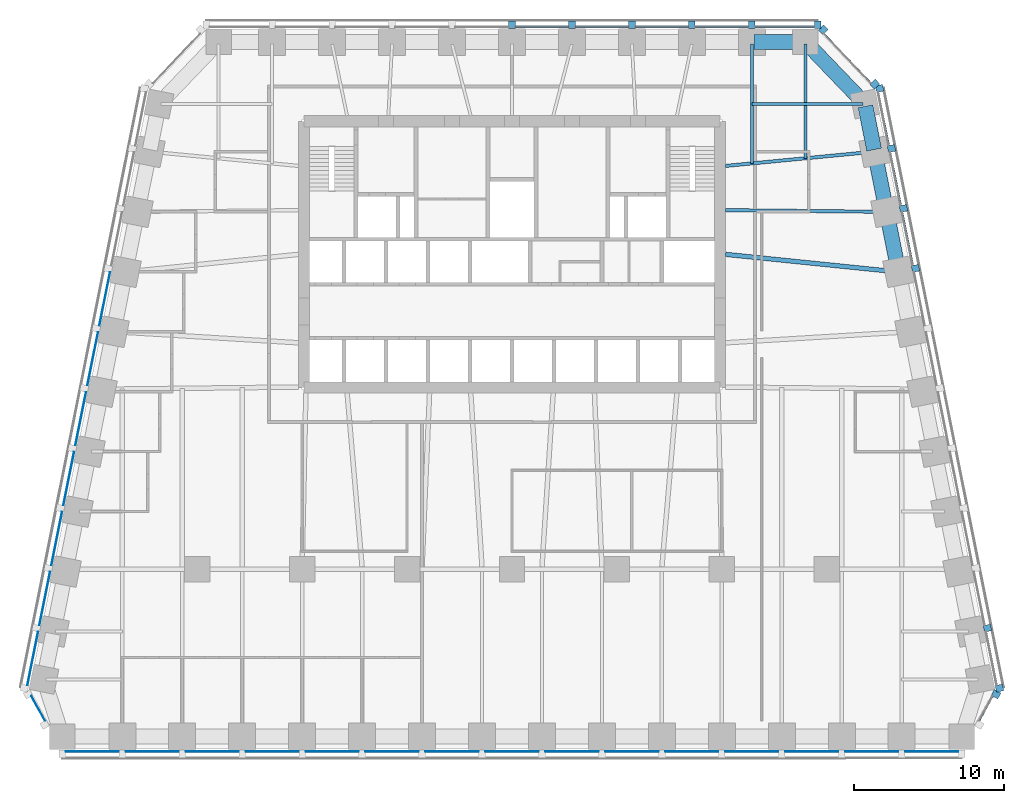
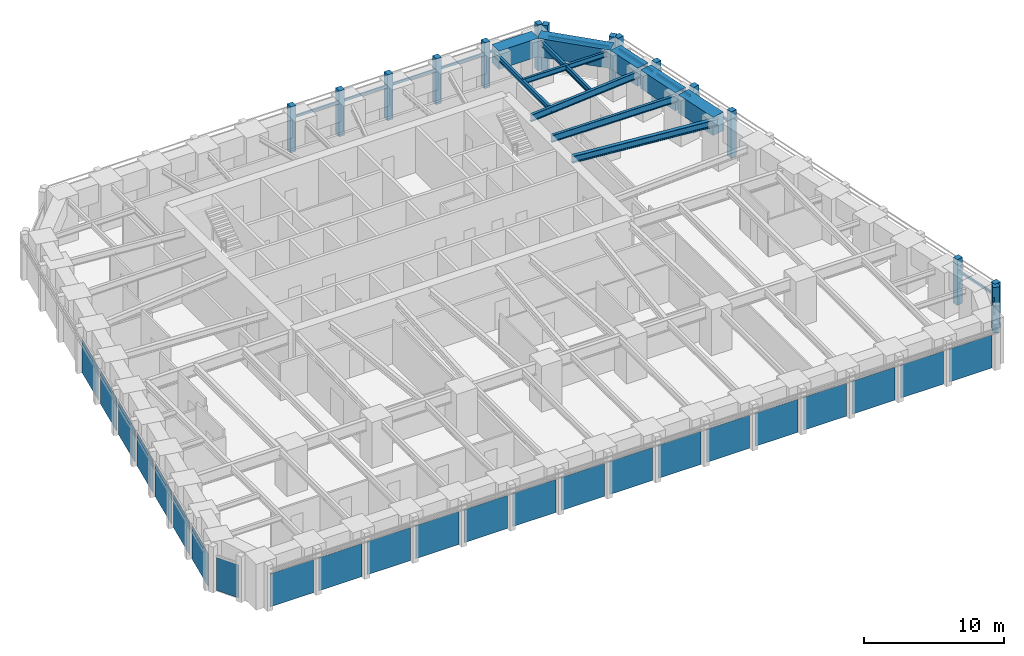
# One storey, part 4 of 10: 26 members, 23 plates, 11 beams, 7 elements without a shape of their own.
"""IFC4 building model written with IfcOpenShell, lengths in metres."""

from ifc_helpers import new_model, si_unit, direction, frame, origin, origin_2d, place, context, subcontext, project, spatial, rectangle, i_section, extrude, material, layer, layer_set, material_profile, profile_set, type_object, element, aggregate, save


model = new_model("IFC4")

# Units and contexts
model_context = context("Model", 3, precision=1e-05, world=origin(), true_north=direction((0.0, 1.0)))
body_context = subcontext(model_context, "Body", "Model", "MODEL_VIEW")
ifc_project = project(units=[si_unit("LENGTHUNIT", "METRE"), si_unit("AREAUNIT", "SQUARE_METRE"), si_unit("VOLUMEUNIT", "CUBIC_METRE"), si_unit("PLANEANGLEUNIT", "RADIAN"), si_unit("MASSUNIT", "GRAM", prefix="KILO")], contexts=[model_context])

# Site, building, storey
site_placement = place(None, origin())
site = spatial("IfcSite", under=ifc_project, at=site_placement, CompositionType="ELEMENT")
building_placement = place(site_placement, origin())
building = spatial("IfcBuilding", under=site, at=building_placement, Name="Isbrekke Arena Tower", CompositionType="ELEMENT")
storey_placement = place(building_placement, frame((0.0, 0.0, 103.0)))
storey = spatial("IfcBuildingStorey", under=building, at=storey_placement, Name="L22", CompositionType="ELEMENT", Elevation=103.0)

# Beams
ifc_material_1 = material(Name="Steel S355", Category="steel")
ifc_material_profile_1 = material_profile(ifc_material_1, i_section(OverallWidth=0.219970703125, OverallDepth=0.60009765625, WebThickness=0.011962890625, FlangeThickness=0.01904296875, FilletRadius=0.02392578125, at=origin_2d()), Name="IPE 600")
ifc_profile_set_1 = profile_set([ifc_material_profile_1], Name="Steel S355")
beam_type_1 = type_object("IfcBeamType", Name="B1 IPE 600", PredefinedType="BEAM", material=ifc_profile_set_1)
beam_1_placement = place(storey_placement, frame((24.83984375, 17.838134765625, 3.550048828125), z_axis=(-0.999944260169, 0.010558245831, 0.0), x_axis=(-0.010558245831, -0.999944260169, 0.0)))
element("IfcBeam", 1, at=beam_1_placement, inside=storey, type_object=beam_type_1, Name="B1 beam E-E09 L22", PredefinedType="BEAM", context=body_context, shape_type="SweptSolid", body=[
    extrude(i_section(OverallWidth=0.219970703125, OverallDepth=0.60009765625, WebThickness=0.011962890625, FlangeThickness=0.01904296875, FilletRadius=0.02392578125, at=origin_2d()), origin(), (0.0, 0.0, 1.0), 10.59033203125),
])
beam_2_placement = place(storey_placement, frame((24.030517578125, 21.837158203125, 3.550048828125), z_axis=(-0.995439798606, -0.095391862082, 0.0), x_axis=(0.095391862082, -0.995439798606, 0.0)))
element("IfcBeam", 2, at=beam_2_placement, inside=storey, type_object=beam_type_1, Name="B1 beam E-E10 L22", PredefinedType="BEAM", context=body_context, shape_type="SweptSolid", body=[
    extrude(i_section(OverallWidth=0.219970703125, OverallDepth=0.60009765625, WebThickness=0.011962890625, FlangeThickness=0.01904296875, FilletRadius=0.02392578125, at=origin_2d()), origin(), (0.0, 0.0, 1.0), 9.825439453125),
])
ifc_material_2 = material(Name="Steel S355", Category="steel")
ifc_material_profile_2 = material_profile(ifc_material_2, i_section(OverallWidth=0.18994140625, OverallDepth=0.449951171875, WebThickness=0.009521484375, FlangeThickness=0.0146484375, FilletRadius=0.02099609375, at=origin_2d()), Name="IPE 450")
ifc_profile_set_2 = profile_set([ifc_material_profile_2], Name="Steel S355")
beam_type_2 = type_object("IfcBeamType", Name="B2 IPE 450", PredefinedType="BEAM", material=ifc_profile_set_2)
beam_3_placement = place(storey_placement, frame((23.40283203125, 25.029296875, 3.625), z_axis=(-1.0, 0.0, 0.0), x_axis=(0.0, -1.0, 0.0)))
element("IfcBeam", 3, at=beam_3_placement, inside=storey, type_object=beam_type_2, Name="B2 beam E-E11 L22", PredefinedType="BEAM", context=body_context, shape_type="SweptSolid", body=[
    extrude(i_section(OverallWidth=0.18994140625, OverallDepth=0.449951171875, WebThickness=0.009521484375, FlangeThickness=0.0146484375, FilletRadius=0.02099609375, at=origin_2d()), origin(), (0.0, 0.0, 1.0), 7.40283203125),
])
ifc_material_3 = material(Name="Steel S355", Category="steel")
ifc_material_profile_3 = material_profile(ifc_material_3, i_section(OverallWidth=0.18994140625, OverallDepth=0.449951171875, WebThickness=0.009521484375, FlangeThickness=0.0146484375, FilletRadius=0.02099609375, at=origin_2d()), Name="IPE 450")
ifc_profile_set_3 = profile_set([ifc_material_profile_3], Name="Steel S355")
beam_type_3 = type_object("IfcBeamType", Name="B3 IPE 450", PredefinedType="BEAM", material=ifc_profile_set_3)
beam_4_placement = place(storey_placement, frame((19.574951171875, 29.02490234375, 3.625), z_axis=(0.0, -1.0, 0.0), x_axis=(1.0, 0.0, 0.0)))
element("IfcBeam", 4, at=beam_4_placement, inside=storey, type_object=beam_type_3, Name="B3 beam N-N01 L22", PredefinedType="BEAM", context=body_context, shape_type="SweptSolid", body=[
    extrude(i_section(OverallWidth=0.18994140625, OverallDepth=0.449951171875, WebThickness=0.009521484375, FlangeThickness=0.0146484375, FilletRadius=0.02099609375, at=origin_2d()), origin(), (0.0, 0.0, 1.0), 7.61474609375),
])
beam_5_placement = place(storey_placement, frame((16.0, 29.02490234375, 3.625), z_axis=(0.0, -1.0, 0.0), x_axis=(1.0, 0.0, 0.0)))
element("IfcBeam", 5, at=beam_5_placement, inside=storey, type_object=beam_type_3, Name="B3 beam N-N02 L22", PredefinedType="BEAM", context=body_context, shape_type="SweptSolid", body=[
    extrude(i_section(OverallWidth=0.18994140625, OverallDepth=0.449951171875, WebThickness=0.009521484375, FlangeThickness=0.0146484375, FilletRadius=0.02099609375, at=origin_2d()), origin(), (0.0, 0.0, 1.0), 7.957275390625),
])
ifc_material_4 = material(Name="Steel S355", Category="steel")
ifc_material_profile_4 = material_profile(ifc_material_4, i_section(OverallWidth=0.300048828125, OverallDepth=0.60009765625, WebThickness=0.015380859375, FlangeThickness=0.030029296875, FilletRadius=0.027099609375, at=origin_2d()), Name="HEB 600")
ifc_profile_set_4 = profile_set([ifc_material_profile_4], Name="Steel S355")
beam_type_4 = type_object("IfcBeamType", Name="B7 HEB 600", PredefinedType="BEAM", material=ifc_profile_set_4)
beam_6_placement = place(storey_placement, frame((25.6259765625, 13.83984375, 3.550048828125), z_axis=(-0.994839949319, 0.10145676537, 0.0), x_axis=(-0.10145676537, -0.994839949319, 0.0)))
element("IfcBeam", 6, at=beam_6_placement, inside=storey, type_object=beam_type_4, Name="B7 beam E-E08 L22", PredefinedType="BEAM", context=body_context, shape_type="SweptSolid", body=[
    extrude(i_section(OverallWidth=0.300048828125, OverallDepth=0.60009765625, WebThickness=0.015380859375, FlangeThickness=0.030029296875, FilletRadius=0.027099609375, at=origin_2d()), origin(), (0.0, 0.0, 1.0), 11.43505859375),
])

# Curtain wall, member
ifc_material_5 = material(Name="Glazed aluminium curtain wall", Category="aluminium")
curtain_wall_type = type_object("IfcCurtainWallType", Name="CWM TOWER CURTAIN WALL MID ZONE", PredefinedType="USERDEFINED", material=ifc_material_5)
curtain_wall_1_placement = place(storey_placement, origin())
curtain_wall_1 = element("IfcCurtainWall", 7, at=curtain_wall_1_placement, inside=storey, type_object=curtain_wall_type, Name="CWM curtain wall L22-SE", ObjectType="TOWER CURTAIN WALL MID ZONE", PredefinedType="USERDEFINED")
ifc_material_6 = material(Name="Aluminium mullion, pale brick slip cladding", Category="masonry")
ifc_material_profile_5 = material_profile(ifc_material_6, rectangle(XDim=0.449951171875, YDim=0.5, at=origin_2d()), Name="PIER 450X500")
ifc_profile_set_5 = profile_set([ifc_material_profile_5], Name="Aluminium mullion, pale brick slip cladding")
member_type_1 = type_object("IfcMemberType", Name="CWM-M PIER MULLION 450 x 500", PredefinedType="MULLION", material=ifc_profile_set_5)
member_1_placement = place(storey_placement, frame((32.296142578125, -14.34375, 0.0), z_axis=(0.0, 0.0, 1.0), x_axis=(0.481918749773, 0.876215908676, 0.0)))
member_1 = element("IfcMember", 8, at=member_1_placement, type_object=member_type_1, Name="CWM-M mullion 2", PredefinedType="MULLION", context=body_context, shape_type="SweptSolid", body=[
    extrude(rectangle(XDim=0.449951171875, YDim=0.5, at=origin_2d()), origin(), (0.0, 0.0, 1.0), 4.0),
])

# Curtain wall, members
curtain_wall_2_placement = place(storey_placement, origin())
curtain_wall_2 = element("IfcCurtainWall", 9, at=curtain_wall_2_placement, inside=storey, type_object=curtain_wall_type, Name="CWM curtain wall L22-E", ObjectType="TOWER CURTAIN WALL MID ZONE", PredefinedType="USERDEFINED")
member_2_placement = place(storey_placement, frame((32.518798828125, -13.936279296875, 0.0), z_axis=(0.0, 0.0, 1.0), x_axis=(-0.196116135138, 0.980580675691, 0.0)))
member_2 = element("IfcMember", 10, at=member_2_placement, type_object=member_type_1, Name="CWM-M mullion 1", PredefinedType="MULLION", context=body_context, shape_type="SweptSolid", body=[
    extrude(rectangle(XDim=0.449951171875, YDim=0.5, at=origin_2d()), origin(), (0.0, 0.0, 1.0), 4.0),
])
member_3_placement = place(storey_placement, frame((31.71875, -9.936279296875, 0.0), z_axis=(0.0, 0.0, 1.0), x_axis=(-0.196116135138, 0.980580675691, 0.0)))
member_3 = element("IfcMember", 11, at=member_3_placement, type_object=member_type_1, Name="CWM-M mullion 2", PredefinedType="MULLION", context=body_context, shape_type="SweptSolid", body=[
    extrude(rectangle(XDim=0.449951171875, YDim=0.5, at=origin_2d()), origin(), (0.0, 0.0, 1.0), 4.0),
])
member_4_placement = place(storey_placement, frame((26.918701171875, 14.063720703125, 0.0), z_axis=(0.0, 0.0, 1.0), x_axis=(-0.196116135138, 0.980580675691, 0.0)))
member_4 = element("IfcMember", 12, at=member_4_placement, type_object=member_type_1, Name="CWM-M mullion 8", PredefinedType="MULLION", context=body_context, shape_type="SweptSolid", body=[
    extrude(rectangle(XDim=0.449951171875, YDim=0.5, at=origin_2d()), origin(), (0.0, 0.0, 1.0), 4.0),
])
member_5_placement = place(storey_placement, frame((26.11865234375, 18.063720703125, 0.0), z_axis=(0.0, 0.0, 1.0), x_axis=(-0.196116135138, 0.980580675691, 0.0)))
member_5 = element("IfcMember", 13, at=member_5_placement, type_object=member_type_1, Name="CWM-M mullion 9", PredefinedType="MULLION", context=body_context, shape_type="SweptSolid", body=[
    extrude(rectangle(XDim=0.449951171875, YDim=0.5, at=origin_2d()), origin(), (0.0, 0.0, 1.0), 4.0),
])
member_6_placement = place(storey_placement, frame((25.318603515625, 22.063720703125, 0.0), z_axis=(0.0, 0.0, 1.0), x_axis=(-0.196116135138, 0.980580675691, 0.0)))
member_6 = element("IfcMember", 14, at=member_6_placement, type_object=member_type_1, Name="CWM-M mullion 10", PredefinedType="MULLION", context=body_context, shape_type="SweptSolid", body=[
    extrude(rectangle(XDim=0.449951171875, YDim=0.5, at=origin_2d()), origin(), (0.0, 0.0, 1.0), 4.0),
])
member_7_placement = place(storey_placement, frame((24.518798828125, 26.063720703125, 0.0), z_axis=(0.0, 0.0, 1.0), x_axis=(-0.196116135138, 0.980580675691, 0.0)))
member_7 = element("IfcMember", 15, at=member_7_placement, type_object=member_type_1, Name="CWM-M mullion 11", PredefinedType="MULLION", context=body_context, shape_type="SweptSolid", body=[
    extrude(rectangle(XDim=0.449951171875, YDim=0.5, at=origin_2d()), origin(), (0.0, 0.0, 1.0), 4.0),
])

curtain_wall_3_placement = place(storey_placement, origin())
curtain_wall_3 = element("IfcCurtainWall", 16, at=curtain_wall_3_placement, inside=storey, type_object=curtain_wall_type, Name="CWM curtain wall L22-EN", ObjectType="TOWER CURTAIN WALL MID ZONE", PredefinedType="USERDEFINED")
member_8_placement = place(storey_placement, frame((24.208251953125, 26.354248046875, 0.0), z_axis=(0.0, 0.0, 1.0), x_axis=(-0.68874946192, 0.72499943359, 0.0)))
member_8 = element("IfcMember", 17, at=member_8_placement, type_object=member_type_1, Name="CWM-M mullion 1", PredefinedType="MULLION", context=body_context, shape_type="SweptSolid", body=[
    extrude(rectangle(XDim=0.449951171875, YDim=0.5, at=origin_2d()), origin(), (0.0, 0.0, 1.0), 4.0),
])
member_9_placement = place(storey_placement, frame((20.7587890625, 29.9853515625, 0.0), z_axis=(0.0, 0.0, 1.0), x_axis=(-0.68874946192, 0.72499943359, 0.0)))
member_9 = element("IfcMember", 18, at=member_9_placement, type_object=member_type_1, Name="CWM-M mullion 2", PredefinedType="MULLION", context=body_context, shape_type="SweptSolid", body=[
    extrude(rectangle(XDim=0.449951171875, YDim=0.5, at=origin_2d()), origin(), (0.0, 0.0, 1.0), 4.0),
])

curtain_wall_4_placement = place(storey_placement, origin())
curtain_wall_4 = element("IfcCurtainWall", 19, at=curtain_wall_4_placement, inside=storey, type_object=curtain_wall_type, Name="CWM curtain wall L22-N", ObjectType="TOWER CURTAIN WALL MID ZONE", PredefinedType="USERDEFINED")
member_10_placement = place(storey_placement, frame((20.39990234375, 30.324951171875, 0.0), z_axis=(0.0, 0.0, 1.0), x_axis=(-1.0, 0.0, 0.0)))
member_10 = element("IfcMember", 20, at=member_10_placement, type_object=member_type_1, Name="CWM-M mullion 1", PredefinedType="MULLION", context=body_context, shape_type="SweptSolid", body=[
    extrude(rectangle(XDim=0.449951171875, YDim=0.5, at=origin_2d()), origin(), (0.0, 0.0, 1.0), 4.0),
])
member_11_placement = place(storey_placement, frame((16.0, 30.324951171875, 0.0), z_axis=(0.0, 0.0, 1.0), x_axis=(-1.0, 0.0, 0.0)))
member_11 = element("IfcMember", 21, at=member_11_placement, type_object=member_type_1, Name="CWM-M mullion 2", PredefinedType="MULLION", context=body_context, shape_type="SweptSolid", body=[
    extrude(rectangle(XDim=0.449951171875, YDim=0.5, at=origin_2d()), origin(), (0.0, 0.0, 1.0), 4.0),
])
member_12_placement = place(storey_placement, frame((12.0, 30.324951171875, 0.0), z_axis=(0.0, 0.0, 1.0), x_axis=(-1.0, 0.0, 0.0)))
member_12 = element("IfcMember", 22, at=member_12_placement, type_object=member_type_1, Name="CWM-M mullion 3", PredefinedType="MULLION", context=body_context, shape_type="SweptSolid", body=[
    extrude(rectangle(XDim=0.449951171875, YDim=0.5, at=origin_2d()), origin(), (0.0, 0.0, 1.0), 4.0),
])
member_13_placement = place(storey_placement, frame((8.0, 30.324951171875, 0.0), z_axis=(0.0, 0.0, 1.0), x_axis=(-1.0, 0.0, 0.0)))
member_13 = element("IfcMember", 23, at=member_13_placement, type_object=member_type_1, Name="CWM-M mullion 4", PredefinedType="MULLION", context=body_context, shape_type="SweptSolid", body=[
    extrude(rectangle(XDim=0.449951171875, YDim=0.5, at=origin_2d()), origin(), (0.0, 0.0, 1.0), 4.0),
])
member_14_placement = place(storey_placement, frame((4.0, 30.324951171875, 0.0), z_axis=(0.0, 0.0, 1.0), x_axis=(-1.0, 0.0, 0.0)))
member_14 = element("IfcMember", 24, at=member_14_placement, type_object=member_type_1, Name="CWM-M mullion 5", PredefinedType="MULLION", context=body_context, shape_type="SweptSolid", body=[
    extrude(rectangle(XDim=0.449951171875, YDim=0.5, at=origin_2d()), origin(), (0.0, 0.0, 1.0), 4.0),
])
member_15_placement = place(storey_placement, frame((0.0, 30.324951171875, 0.0), z_axis=(0.0, 0.0, 1.0), x_axis=(-1.0, 0.0, 0.0)))
member_15 = element("IfcMember", 25, at=member_15_placement, type_object=member_type_1, Name="CWM-M mullion 6", PredefinedType="MULLION", context=body_context, shape_type="SweptSolid", body=[
    extrude(rectangle(XDim=0.449951171875, YDim=0.5, at=origin_2d()), origin(), (0.0, 0.0, 1.0), 4.0),
])

# Member
ifc_material_7 = material(Name="Aluminium transom", Category="aluminium")
ifc_material_profile_6 = material_profile(ifc_material_7, rectangle(XDim=0.1201171875, YDim=0.199951171875, at=origin_2d()), Name="TRANSOM 120X200")
ifc_profile_set_6 = profile_set([ifc_material_profile_6], Name="Aluminium transom")
member_type_2 = type_object("IfcMemberType", Name="CWM-T TRANSOM 120 x 200", PredefinedType="USERDEFINED", material=ifc_profile_set_6)
member_16_placement = place(storey_placement, frame((31.152099609375, -16.112548828125, 3.0), z_axis=(0.482003669577, 0.876169197424, 0.0), x_axis=(-0.876169197424, 0.482003669577, 0.0)))
member_16 = element("IfcMember", 26, at=member_16_placement, type_object=member_type_2, Name="CWM-T transom 1", ObjectType="TRANSOM", PredefinedType="USERDEFINED", context=body_context, shape_type="SweptSolid", body=[
    extrude(rectangle(XDim=0.1201171875, YDim=0.199951171875, at=origin_2d()), origin(), (0.0, 0.0, 1.0), 1.876220703125),
])

aggregate(curtain_wall_1, [member_1, member_16])

member_17_placement = place(storey_placement, frame((32.327392578125, -13.7451171875, 3.0), z_axis=(-0.196090262229, 0.980585849918, 0.0), x_axis=(-0.980585849918, -0.196090262229, 0.0)))
member_17 = element("IfcMember", 27, at=member_17_placement, type_object=member_type_2, Name="CWM-T transom 1", ObjectType="TRANSOM", PredefinedType="USERDEFINED", context=body_context, shape_type="SweptSolid", body=[
    extrude(rectangle(XDim=0.1201171875, YDim=0.199951171875, at=origin_2d()), origin(), (0.0, 0.0, 1.0), 3.62939453125),
])

member_18_placement = place(storey_placement, frame((26.7275390625, 14.2548828125, 3.0), z_axis=(-0.196154943734, 0.980572913173, 0.0), x_axis=(-0.980572913173, -0.196154943734, 0.0)))
member_18 = element("IfcMember", 28, at=member_18_placement, type_object=member_type_2, Name="CWM-T transom 8", ObjectType="TRANSOM", PredefinedType="USERDEFINED", context=body_context, shape_type="SweptSolid", body=[
    extrude(rectangle(XDim=0.1201171875, YDim=0.199951171875, at=origin_2d()), origin(), (0.0, 0.0, 1.0), 3.62939453125),
])

member_19_placement = place(storey_placement, frame((25.927490234375, 18.2548828125, 3.0), z_axis=(-0.196090262229, 0.980585849918, 0.0), x_axis=(-0.980585849918, -0.196090262229, 0.0)))
member_19 = element("IfcMember", 29, at=member_19_placement, type_object=member_type_2, Name="CWM-T transom 9", ObjectType="TRANSOM", PredefinedType="USERDEFINED", context=body_context, shape_type="SweptSolid", body=[
    extrude(rectangle(XDim=0.1201171875, YDim=0.199951171875, at=origin_2d()), origin(), (0.0, 0.0, 1.0), 3.62939453125),
])

member_20_placement = place(storey_placement, frame((25.12744140625, 22.2548828125, 3.0), z_axis=(-0.196090262229, 0.980585849918, 0.0), x_axis=(-0.980585849918, -0.196090262229, 0.0)))
member_20 = element("IfcMember", 30, at=member_20_placement, type_object=member_type_2, Name="CWM-T transom 10", ObjectType="TRANSOM", PredefinedType="USERDEFINED", context=body_context, shape_type="SweptSolid", body=[
    extrude(rectangle(XDim=0.1201171875, YDim=0.199951171875, at=origin_2d()), origin(), (0.0, 0.0, 1.0), 3.62939453125),
])

aggregate(curtain_wall_2, [member_2, member_3, member_4, member_5, member_6, member_7, member_17, member_18, member_19, member_20])

member_21_placement = place(storey_placement, frame((23.944580078125, 26.4140625, 3.0), z_axis=(-0.688771983213, 0.724978037696, 0.0), x_axis=(-0.724978037696, -0.688771983213, 0.0)))
member_21 = element("IfcMember", 31, at=member_21_placement, type_object=member_type_2, Name="CWM-T transom 1", ObjectType="TRANSOM", PredefinedType="USERDEFINED", context=body_context, shape_type="SweptSolid", body=[
    extrude(rectangle(XDim=0.1201171875, YDim=0.199951171875, at=origin_2d()), origin(), (0.0, 0.0, 1.0), 4.558349609375),
])

aggregate(curtain_wall_3, [member_8, member_9, member_21])

member_22_placement = place(storey_placement, frame((20.175048828125, 30.175048828125, 3.0), z_axis=(-1.0, 0.0, 0.0), x_axis=(0.0, -1.0, 0.0)))
member_22 = element("IfcMember", 32, at=member_22_placement, type_object=member_type_2, Name="CWM-T transom 1", ObjectType="TRANSOM", PredefinedType="USERDEFINED", context=body_context, shape_type="SweptSolid", body=[
    extrude(rectangle(XDim=0.1201171875, YDim=0.199951171875, at=origin_2d()), origin(), (0.0, 0.0, 1.0), 3.949951171875),
])

member_23_placement = place(storey_placement, frame((15.77490234375, 30.175048828125, 3.0), z_axis=(-1.0, 0.0, 0.0), x_axis=(0.0, -1.0, 0.0)))
member_23 = element("IfcMember", 33, at=member_23_placement, type_object=member_type_2, Name="CWM-T transom 2", ObjectType="TRANSOM", PredefinedType="USERDEFINED", context=body_context, shape_type="SweptSolid", body=[
    extrude(rectangle(XDim=0.1201171875, YDim=0.199951171875, at=origin_2d()), origin(), (0.0, 0.0, 1.0), 3.5498046875),
])

member_24_placement = place(storey_placement, frame((11.77490234375, 30.175048828125, 3.0), z_axis=(-1.0, 0.0, 0.0), x_axis=(0.0, -1.0, 0.0)))
member_24 = element("IfcMember", 34, at=member_24_placement, type_object=member_type_2, Name="CWM-T transom 3", ObjectType="TRANSOM", PredefinedType="USERDEFINED", context=body_context, shape_type="SweptSolid", body=[
    extrude(rectangle(XDim=0.1201171875, YDim=0.199951171875, at=origin_2d()), origin(), (0.0, 0.0, 1.0), 3.5498046875),
])

member_25_placement = place(storey_placement, frame((7.77490234375, 30.175048828125, 3.0), z_axis=(-1.0, 0.0, 0.0), x_axis=(0.0, -1.0, 0.0)))
member_25 = element("IfcMember", 35, at=member_25_placement, type_object=member_type_2, Name="CWM-T transom 4", ObjectType="TRANSOM", PredefinedType="USERDEFINED", context=body_context, shape_type="SweptSolid", body=[
    extrude(rectangle(XDim=0.1201171875, YDim=0.199951171875, at=origin_2d()), origin(), (0.0, 0.0, 1.0), 3.5498046875),
])

member_26_placement = place(storey_placement, frame((3.77490234375, 30.175048828125, 3.0), z_axis=(-1.0, 0.0, 0.0), x_axis=(0.0, -1.0, 0.0)))
member_26 = element("IfcMember", 36, at=member_26_placement, type_object=member_type_2, Name="CWM-T transom 5", ObjectType="TRANSOM", PredefinedType="USERDEFINED", context=body_context, shape_type="SweptSolid", body=[
    extrude(rectangle(XDim=0.1201171875, YDim=0.199951171875, at=origin_2d()), origin(), (0.0, 0.0, 1.0), 3.5498046875),
])

aggregate(curtain_wall_4, [member_10, member_11, member_12, member_13, member_14, member_15, member_22, member_23, member_24, member_25, member_26])

# Beams
ifc_material_8 = material(Name="Concrete B80 (C80/95)", Category="concrete")
ifc_material_profile_7 = material_profile(ifc_material_8, rectangle(XDim=1.0, YDim=1.60009765625, at=origin_2d()), Name="RC 1000x1600")
ifc_profile_set_7 = profile_set([ifc_material_profile_7], Name="Concrete B80 (C80/95)")
beam_type_5 = type_object("IfcBeamType", Name="SB2 RC 1000 x 1600", PredefinedType="SPANDREL", material=ifc_profile_set_7)
for number, where, z_axis, x_axis, name in (
    (37, (25.76171875, 13.9853515625, 3.199951171875), (-0.196128558387, 0.980578190959, 0.0), (-0.980578190959, -0.196128558387, 0.0), "SB2 spandrel E08-E09 L22"),
    (38, (24.961669921875, 17.9853515625, 3.199951171875), (-0.196128558387, 0.980578190959, 0.0), (-0.980578190959, -0.196128558387, 0.0), "SB2 spandrel E09-E10 L22"),
):
    element("IfcBeam", number, at=place(storey_placement, frame(where, z_axis=z_axis, x_axis=x_axis)), inside=storey, type_object=beam_type_5, Name=name, PredefinedType="SPANDREL", context=body_context, shape_type="SweptSolid", body=[
        extrude(rectangle(XDim=1.0, YDim=1.60009765625, at=origin_2d()), origin(), (0.0, 0.0, 1.0), 3.779296875),
    ])
beam_7_placement = place(storey_placement, frame((24.16162109375, 21.9853515625, 3.199951171875), z_axis=(-0.196116135138, 0.980580675691, 0.0), x_axis=(-0.980580675691, -0.196116135138, 0.0)))
element("IfcBeam", 39, at=beam_7_placement, inside=storey, type_object=beam_type_5, Name="SB2 spandrel E10-E11 L22", PredefinedType="SPANDREL", context=body_context, shape_type="SweptSolid", body=[
    extrude(rectangle(XDim=1.0, YDim=1.60009765625, at=origin_2d()), origin(), (0.0, 0.0, 1.0), 2.9541015625),
])
beam_8_placement = place(storey_placement, frame((23.448974609375, 25.137451171875, 3.199951171875), z_axis=(-0.692339547635, 0.721571861134, 0.0), x_axis=(-0.721571861134, -0.692339547635, 0.0)))
element("IfcBeam", 40, at=beam_8_placement, inside=storey, type_object=beam_type_5, Name="SB2 spandrel E11-N01 L22", PredefinedType="SPANDREL", context=body_context, shape_type="SweptSolid", body=[
    extrude(rectangle(XDim=1.0, YDim=1.60009765625, at=origin_2d()), origin(), (0.0, 0.0, 1.0), 5.4453125),
])
beam_9_placement = place(storey_placement, frame((19.425048828125, 29.175048828125, 3.199951171875), z_axis=(-1.0, 0.0, 0.0), x_axis=(0.0, -1.0, 0.0)))
element("IfcBeam", 41, at=beam_9_placement, inside=storey, type_object=beam_type_5, Name="SB2 spandrel N01-N02 L22", PredefinedType="SPANDREL", context=body_context, shape_type="SweptSolid", body=[
    extrude(rectangle(XDim=1.0, YDim=1.60009765625, at=origin_2d()), origin(), (0.0, 0.0, 1.0), 3.275146484375),
])

# Curtain wall, plates
curtain_wall_5_placement = place(storey_placement, origin())
curtain_wall_5 = element("IfcCurtainWall", 42, at=curtain_wall_5_placement, inside=storey, type_object=curtain_wall_type, Name="CWM curtain wall L22-S", ObjectType="TOWER CURTAIN WALL MID ZONE", PredefinedType="USERDEFINED")
ifc_material_9 = material(Name="Triple-glazed clear glass unit", Category="glass")
ifc_layer = layer(ifc_material_9, 0.031982421875)
ifc_layer_set = layer_set([ifc_layer], Name="CWM-P VISION PANEL")
plate_type = type_object("IfcPlateType", Name="CWM-P VISION PANEL", PredefinedType="CURTAIN_PANEL", material=ifc_layer_set)
plate_1_placement = place(storey_placement, frame((-28.0, -18.175048828125, 0.02001953125), z_axis=(0.0, 0.0, 1.0), x_axis=(1.0, 0.0, 0.0)))
plate_1 = element("IfcPlate", 43, at=plate_1_placement, type_object=plate_type, Name="CWM-P panel 1", PredefinedType="CURTAIN_PANEL", context=body_context, shape_type="SweptSolid", body=[
    extrude(rectangle(XDim=3.550048828125, YDim=0.031982421875, at=origin_2d()), origin(), (0.0, 0.0, 1.0), 2.8798828125),
])
plate_2_placement = place(storey_placement, frame((-24.0, -18.175048828125, 0.02001953125), z_axis=(0.0, 0.0, 1.0), x_axis=(1.0, 0.0, 0.0)))
plate_2 = element("IfcPlate", 44, at=plate_2_placement, type_object=plate_type, Name="CWM-P panel 2", PredefinedType="CURTAIN_PANEL", context=body_context, shape_type="SweptSolid", body=[
    extrude(rectangle(XDim=3.550048828125, YDim=0.031982421875, at=origin_2d()), origin(), (0.0, 0.0, 1.0), 2.8798828125),
])
plate_3_placement = place(storey_placement, frame((-20.0, -18.175048828125, 0.02001953125), z_axis=(0.0, 0.0, 1.0), x_axis=(1.0, 0.0, 0.0)))
plate_3 = element("IfcPlate", 45, at=plate_3_placement, type_object=plate_type, Name="CWM-P panel 3", PredefinedType="CURTAIN_PANEL", context=body_context, shape_type="SweptSolid", body=[
    extrude(rectangle(XDim=3.550048828125, YDim=0.031982421875, at=origin_2d()), origin(), (0.0, 0.0, 1.0), 2.8798828125),
])
plate_4_placement = place(storey_placement, frame((-16.0, -18.175048828125, 0.02001953125), z_axis=(0.0, 0.0, 1.0), x_axis=(1.0, 0.0, 0.0)))
plate_4 = element("IfcPlate", 46, at=plate_4_placement, type_object=plate_type, Name="CWM-P panel 4", PredefinedType="CURTAIN_PANEL", context=body_context, shape_type="SweptSolid", body=[
    extrude(rectangle(XDim=3.550048828125, YDim=0.031982421875, at=origin_2d()), origin(), (0.0, 0.0, 1.0), 2.8798828125),
])
plate_5_placement = place(storey_placement, frame((-12.0, -18.175048828125, 0.02001953125), z_axis=(0.0, 0.0, 1.0), x_axis=(1.0, 0.0, 0.0)))
plate_5 = element("IfcPlate", 47, at=plate_5_placement, type_object=plate_type, Name="CWM-P panel 5", PredefinedType="CURTAIN_PANEL", context=body_context, shape_type="SweptSolid", body=[
    extrude(rectangle(XDim=3.550048828125, YDim=0.031982421875, at=origin_2d()), origin(), (0.0, 0.0, 1.0), 2.8798828125),
])
plate_6_placement = place(storey_placement, frame((-8.0, -18.175048828125, 0.02001953125), z_axis=(0.0, 0.0, 1.0), x_axis=(1.0, 0.0, 0.0)))
plate_6 = element("IfcPlate", 48, at=plate_6_placement, type_object=plate_type, Name="CWM-P panel 6", PredefinedType="CURTAIN_PANEL", context=body_context, shape_type="SweptSolid", body=[
    extrude(rectangle(XDim=3.550048828125, YDim=0.031982421875, at=origin_2d()), origin(), (0.0, 0.0, 1.0), 2.8798828125),
])
plate_7_placement = place(storey_placement, frame((-4.0, -18.175048828125, 0.02001953125), z_axis=(0.0, 0.0, 1.0), x_axis=(1.0, 0.0, 0.0)))
plate_7 = element("IfcPlate", 49, at=plate_7_placement, type_object=plate_type, Name="CWM-P panel 7", PredefinedType="CURTAIN_PANEL", context=body_context, shape_type="SweptSolid", body=[
    extrude(rectangle(XDim=3.550048828125, YDim=0.031982421875, at=origin_2d()), origin(), (0.0, 0.0, 1.0), 2.8798828125),
])
plate_8_placement = place(storey_placement, frame((0.0, -18.175048828125, 0.02001953125), z_axis=(0.0, 0.0, 1.0), x_axis=(1.0, 0.0, 0.0)))
plate_8 = element("IfcPlate", 50, at=plate_8_placement, type_object=plate_type, Name="CWM-P panel 8", PredefinedType="CURTAIN_PANEL", context=body_context, shape_type="SweptSolid", body=[
    extrude(rectangle(XDim=3.550048828125, YDim=0.031982421875, at=origin_2d()), origin(), (0.0, 0.0, 1.0), 2.8798828125),
])
plate_9_placement = place(storey_placement, frame((4.0, -18.175048828125, 0.02001953125), z_axis=(0.0, 0.0, 1.0), x_axis=(1.0, 0.0, 0.0)))
plate_9 = element("IfcPlate", 51, at=plate_9_placement, type_object=plate_type, Name="CWM-P panel 9", PredefinedType="CURTAIN_PANEL", context=body_context, shape_type="SweptSolid", body=[
    extrude(rectangle(XDim=3.550048828125, YDim=0.031982421875, at=origin_2d()), origin(), (0.0, 0.0, 1.0), 2.8798828125),
])
plate_10_placement = place(storey_placement, frame((8.0, -18.175048828125, 0.02001953125), z_axis=(0.0, 0.0, 1.0), x_axis=(1.0, 0.0, 0.0)))
plate_10 = element("IfcPlate", 52, at=plate_10_placement, type_object=plate_type, Name="CWM-P panel 10", PredefinedType="CURTAIN_PANEL", context=body_context, shape_type="SweptSolid", body=[
    extrude(rectangle(XDim=3.550048828125, YDim=0.031982421875, at=origin_2d()), origin(), (0.0, 0.0, 1.0), 2.8798828125),
])
plate_11_placement = place(storey_placement, frame((12.0, -18.175048828125, 0.02001953125), z_axis=(0.0, 0.0, 1.0), x_axis=(1.0, 0.0, 0.0)))
plate_11 = element("IfcPlate", 53, at=plate_11_placement, type_object=plate_type, Name="CWM-P panel 11", PredefinedType="CURTAIN_PANEL", context=body_context, shape_type="SweptSolid", body=[
    extrude(rectangle(XDim=3.550048828125, YDim=0.031982421875, at=origin_2d()), origin(), (0.0, 0.0, 1.0), 2.8798828125),
])
plate_12_placement = place(storey_placement, frame((16.0, -18.175048828125, 0.02001953125), z_axis=(0.0, 0.0, 1.0), x_axis=(1.0, 0.0, 0.0)))
plate_12 = element("IfcPlate", 54, at=plate_12_placement, type_object=plate_type, Name="CWM-P panel 12", PredefinedType="CURTAIN_PANEL", context=body_context, shape_type="SweptSolid", body=[
    extrude(rectangle(XDim=3.550048828125, YDim=0.031982421875, at=origin_2d()), origin(), (0.0, 0.0, 1.0), 2.8798828125),
])
plate_13_placement = place(storey_placement, frame((20.0, -18.175048828125, 0.02001953125), z_axis=(0.0, 0.0, 1.0), x_axis=(1.0, 0.0, 0.0)))
plate_13 = element("IfcPlate", 55, at=plate_13_placement, type_object=plate_type, Name="CWM-P panel 13", PredefinedType="CURTAIN_PANEL", context=body_context, shape_type="SweptSolid", body=[
    extrude(rectangle(XDim=3.550048828125, YDim=0.031982421875, at=origin_2d()), origin(), (0.0, 0.0, 1.0), 2.8798828125),
])
plate_14_placement = place(storey_placement, frame((24.0, -18.175048828125, 0.02001953125), z_axis=(0.0, 0.0, 1.0), x_axis=(1.0, 0.0, 0.0)))
plate_14 = element("IfcPlate", 56, at=plate_14_placement, type_object=plate_type, Name="CWM-P panel 14", PredefinedType="CURTAIN_PANEL", context=body_context, shape_type="SweptSolid", body=[
    extrude(rectangle(XDim=3.550048828125, YDim=0.031982421875, at=origin_2d()), origin(), (0.0, 0.0, 1.0), 2.8798828125),
])
plate_15_placement = place(storey_placement, frame((28.0, -18.175048828125, 0.02001953125), z_axis=(0.0, 0.0, 1.0), x_axis=(1.0, 0.0, 0.0)))
plate_15 = element("IfcPlate", 57, at=plate_15_placement, type_object=plate_type, Name="CWM-P panel 15", PredefinedType="CURTAIN_PANEL", context=body_context, shape_type="SweptSolid", body=[
    extrude(rectangle(XDim=3.550048828125, YDim=0.031982421875, at=origin_2d()), origin(), (0.0, 0.0, 1.0), 2.8798828125),
])
aggregate(curtain_wall_5, [plate_1, plate_2, plate_3, plate_4, plate_5, plate_6, plate_7, plate_8, plate_9, plate_10, plate_11, plate_12, plate_13, plate_14, plate_15])

curtain_wall_6_placement = place(storey_placement, origin())
curtain_wall_6 = element("IfcCurtainWall", 58, at=curtain_wall_6_placement, inside=storey, type_object=curtain_wall_type, Name="CWM curtain wall L22-W", ObjectType="TOWER CURTAIN WALL MID ZONE", PredefinedType="USERDEFINED")
plate_16_placement = place(storey_placement, frame((-27.171630859375, 12.034423828125, 0.02001953125), z_axis=(0.0, 0.0, 1.0), x_axis=(-0.196116135138, -0.980580675691, 0.0)))
plate_16 = element("IfcPlate", 59, at=plate_16_placement, type_object=plate_type, Name="CWM-P panel 4", PredefinedType="CURTAIN_PANEL", context=body_context, shape_type="SweptSolid", body=[
    extrude(rectangle(XDim=3.629150390625, YDim=0.031982421875, at=origin_2d()), origin(), (0.0, 0.0, 1.0), 2.8798828125),
])
plate_17_placement = place(storey_placement, frame((-27.9716796875, 8.034423828125, 0.02001953125), z_axis=(0.0, 0.0, 1.0), x_axis=(-0.196116135138, -0.980580675691, 0.0)))
plate_17 = element("IfcPlate", 60, at=plate_17_placement, type_object=plate_type, Name="CWM-P panel 5", PredefinedType="CURTAIN_PANEL", context=body_context, shape_type="SweptSolid", body=[
    extrude(rectangle(XDim=3.629150390625, YDim=0.031982421875, at=origin_2d()), origin(), (0.0, 0.0, 1.0), 2.8798828125),
])
plate_18_placement = place(storey_placement, frame((-28.771484375, 4.034423828125, 0.02001953125), z_axis=(0.0, 0.0, 1.0), x_axis=(-0.196116135138, -0.980580675691, 0.0)))
plate_18 = element("IfcPlate", 61, at=plate_18_placement, type_object=plate_type, Name="CWM-P panel 6", PredefinedType="CURTAIN_PANEL", context=body_context, shape_type="SweptSolid", body=[
    extrude(rectangle(XDim=3.629150390625, YDim=0.031982421875, at=origin_2d()), origin(), (0.0, 0.0, 1.0), 2.8798828125),
])
plate_19_placement = place(storey_placement, frame((-29.571533203125, 0.034423828125, 0.02001953125), z_axis=(0.0, 0.0, 1.0), x_axis=(-0.196116135138, -0.980580675691, 0.0)))
plate_19 = element("IfcPlate", 62, at=plate_19_placement, type_object=plate_type, Name="CWM-P panel 7", PredefinedType="CURTAIN_PANEL", context=body_context, shape_type="SweptSolid", body=[
    extrude(rectangle(XDim=3.629150390625, YDim=0.031982421875, at=origin_2d()), origin(), (0.0, 0.0, 1.0), 2.8798828125),
])
plate_20_placement = place(storey_placement, frame((-30.37158203125, -3.965576171875, 0.02001953125), z_axis=(0.0, 0.0, 1.0), x_axis=(-0.196116135138, -0.980580675691, 0.0)))
plate_20 = element("IfcPlate", 63, at=plate_20_placement, type_object=plate_type, Name="CWM-P panel 8", PredefinedType="CURTAIN_PANEL", context=body_context, shape_type="SweptSolid", body=[
    extrude(rectangle(XDim=3.629150390625, YDim=0.031982421875, at=origin_2d()), origin(), (0.0, 0.0, 1.0), 2.8798828125),
])
plate_21_placement = place(storey_placement, frame((-31.171630859375, -7.965576171875, 0.02001953125), z_axis=(0.0, 0.0, 1.0), x_axis=(-0.196116135138, -0.980580675691, 0.0)))
plate_21 = element("IfcPlate", 64, at=plate_21_placement, type_object=plate_type, Name="CWM-P panel 9", PredefinedType="CURTAIN_PANEL", context=body_context, shape_type="SweptSolid", body=[
    extrude(rectangle(XDim=3.629150390625, YDim=0.031982421875, at=origin_2d()), origin(), (0.0, 0.0, 1.0), 2.8798828125),
])
plate_22_placement = place(storey_placement, frame((-31.9716796875, -11.965576171875, 0.02001953125), z_axis=(0.0, 0.0, 1.0), x_axis=(-0.196116135138, -0.980580675691, 0.0)))
plate_22 = element("IfcPlate", 65, at=plate_22_placement, type_object=plate_type, Name="CWM-P panel 10", PredefinedType="CURTAIN_PANEL", context=body_context, shape_type="SweptSolid", body=[
    extrude(rectangle(XDim=3.629150390625, YDim=0.031982421875, at=origin_2d()), origin(), (0.0, 0.0, 1.0), 2.8798828125),
])
aggregate(curtain_wall_6, [plate_16, plate_17, plate_18, plate_19, plate_20, plate_21, plate_22])

# Curtain wall, plate
curtain_wall_7_placement = place(storey_placement, origin())
curtain_wall_7 = element("IfcCurtainWall", 66, at=curtain_wall_7_placement, inside=storey, type_object=curtain_wall_type, Name="CWM curtain wall L22-WS", ObjectType="TOWER CURTAIN WALL MID ZONE", PredefinedType="USERDEFINED")
plate_23_placement = place(storey_placement, frame((-31.60400390625, -15.291015625, 0.02001953125), z_axis=(0.0, 0.0, 1.0), x_axis=(0.481918749773, -0.876215908676, 0.0)))
plate_23 = element("IfcPlate", 67, at=plate_23_placement, type_object=plate_type, Name="CWM-P panel 1", PredefinedType="CURTAIN_PANEL", context=body_context, shape_type="SweptSolid", body=[
    extrude(rectangle(XDim=1.878173828125, YDim=0.031982421875, at=origin_2d()), origin(), (0.0, 0.0, 1.0), 2.8798828125),
])
aggregate(curtain_wall_7, [plate_23])

save(model, "model.ifc")
